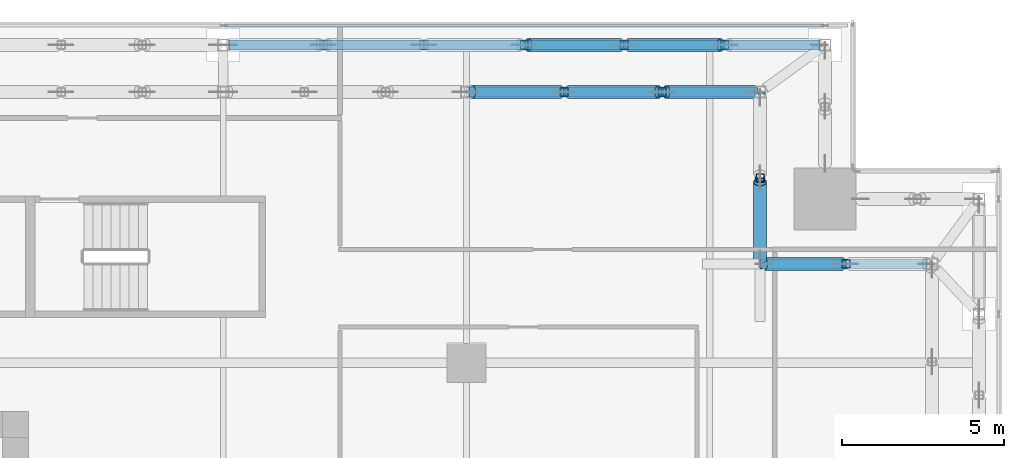
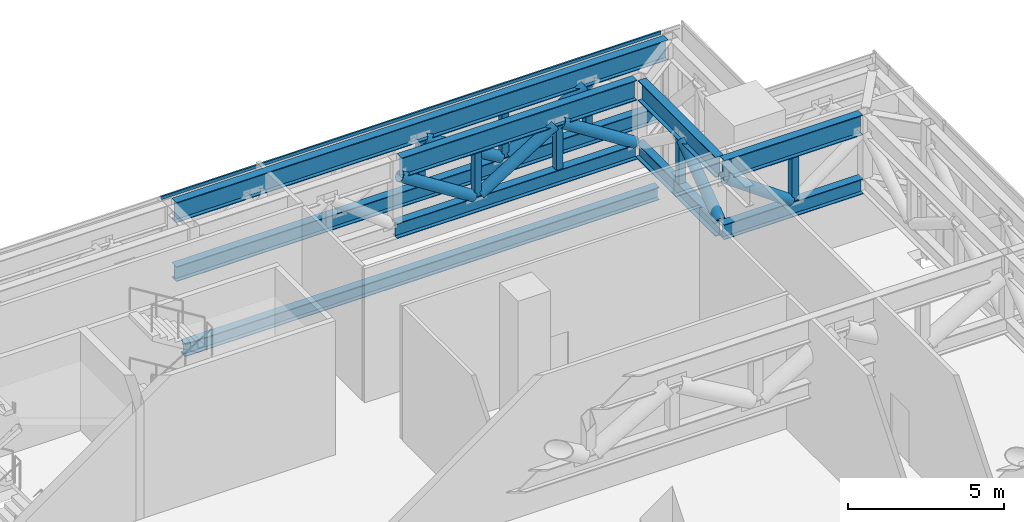
# One storey, part 25 of 36: 23 members, 1 beam, 1 element without a shape of its own.
"""IFC4 building model written with IfcOpenShell, lengths in metres."""

from ifc_helpers import new_model, si_unit, direction, frame, origin, origin_2d, place, context, subcontext, project, spatial, hollow_rectangle, hollow_circle, i_section, extrude, source, transform, mapped, material, material_profile, profile_set, type_object, element, aggregate, save


model = new_model("IFC4")

# Units and contexts
model_context = context("Model", 3, precision=1e-05, world=origin(), true_north=direction((0.0, 1.0)))
body_context = subcontext(model_context, "Body", "Model", "MODEL_VIEW")
ifc_project = project(units=[si_unit("LENGTHUNIT", "METRE"), si_unit("AREAUNIT", "SQUARE_METRE"), si_unit("VOLUMEUNIT", "CUBIC_METRE"), si_unit("PLANEANGLEUNIT", "RADIAN"), si_unit("MASSUNIT", "GRAM", prefix="KILO")], contexts=[model_context])

# Site, building, storey
site_placement = place(None, origin())
site = spatial("IfcSite", under=ifc_project, at=site_placement, CompositionType="ELEMENT")
building_placement = place(site_placement, origin())
building = spatial("IfcBuilding", under=site, at=building_placement, Name="Khomas Fold Tower", CompositionType="ELEMENT")
storey_placement = place(building_placement, frame((0.0, 0.0, 216.699951171875)))
storey = spatial("IfcBuildingStorey", under=building, at=storey_placement, Name="L48", CompositionType="ELEMENT", Elevation=216.699951171875)

# Beam
ifc_material_1 = material(Name="Steel S355", Category="steel")
ifc_material_profile_1 = material_profile(ifc_material_1, i_section(OverallWidth=0.300048828125, OverallDepth=0.5, WebThickness=0.014404296875, FlangeThickness=0.028076171875, at=origin_2d()), Name="HE 500 B")
ifc_profile_set_1 = profile_set([ifc_material_profile_1], Name="Steel S355")
beam_type = type_object("IfcBeamType", Name="HE 500 B spandrel SB3", PredefinedType="SPANDREL", material=ifc_profile_set_1)
shared_shape_1 = source(origin(), body_context, "Body", "SweptSolid", [
    extrude(i_section(OverallWidth=0.300048828125, OverallDepth=0.5, WebThickness=0.014404296875, FlangeThickness=0.028076171875, at=origin_2d()), origin(), (0.0, 0.0, 1.0), 17.550048828125),
])
beam_placement = place(storey_placement, frame((27.5, 50.300048828125, -0.64990234375), z_axis=(1.0, 0.0, 0.0), x_axis=(0.0, 1.0, 0.0)))
element("IfcBeam", 1, at=beam_placement, inside=storey, type_object=beam_type, Name="SB3", PredefinedType="SPANDREL", context=body_context, shape_type="MappedRepresentation", body=[
    mapped(shared_shape_1, transform((0.0, 0.0, 0.0))),
])

# Members
ifc_material_2 = material(Name="Steel S355", Category="steel")
ifc_material_profile_2 = material_profile(ifc_material_2, hollow_rectangle(XDim=0.25, YDim=0.25, WallThickness=0.01611328125, at=origin_2d()), Name="SHS 250x250x16")
ifc_profile_set_2 = profile_set([ifc_material_profile_2], Name="Steel S355")
member_type_1 = type_object("IfcMemberType", Name="BELT TRUSS 3 MID POST SHS 250x250x16", PredefinedType="POST", material=ifc_profile_set_2)
shared_shape_2 = source(origin(), body_context, "Body", "SweptSolid", [
    extrude(hollow_rectangle(XDim=0.25, YDim=0.25, WallThickness=0.01611328125, at=origin_2d()), origin(), (0.0, 0.0, 1.0), 1.719970703125),
])
for number, where, z_axis, x_axis, name in (
    (2, (42.458251953125, 50.300048828125, 2.739990234375), (0.0, 0.0, 1.0), (1.0, 0.0, 0.0), "BT3-M"),
    (3, (39.36669921875, 50.300048828125, 2.739990234375), (0.0, 0.0, 1.0), (1.0, 0.0, 0.0), "BT3-M"),
    (4, (36.27490234375, 50.300048828125, 2.739990234375), (0.0, 0.0, 1.0), (1.0, 0.0, 0.0), "BT3-M"),
    (5, (40.533447265625, 48.85009765625, 2.739990234375), (0.0, 0.0, 1.0), (1.0, 0.0, 0.0), "BT3-M"),
    (6, (37.5166015625, 48.85009765625, 2.739990234375), (0.0, 0.0, 1.0), (1.0, 0.0, 0.0), "BT3-M"),
    (7, (46.199951171875, 43.550048828125, 2.739990234375), (0.0, 0.0, 1.0), (1.0, 0.0, 0.0), "BT3-M"),
    (8, (43.550048828125, 46.199951171875, 2.739990234375), (0.0, 0.0, 1.0), (1.0, 0.0, 0.0), "BT3-M"),
):
    element("IfcMember", number, at=place(storey_placement, frame(where, z_axis=z_axis, x_axis=x_axis)), inside=storey, type_object=member_type_1, Name=name, PredefinedType="POST", context=body_context, shape_type="MappedRepresentation", body=[
        mapped(shared_shape_2, transform((0.0, 0.0, 0.0))),
    ])
ifc_material_3 = material(Name="Steel S355", Category="steel")
ifc_material_profile_3 = material_profile(ifc_material_3, i_section(OverallWidth=0.300048828125, OverallDepth=0.7900390625, WebThickness=0.014892578125, FlangeThickness=0.028076171875, at=origin_2d()), Name="HE 800 A")
ifc_profile_set_3 = profile_set([ifc_material_profile_3], Name="Steel S355")
member_type_2 = type_object("IfcMemberType", Name="BELT TRUSS 3 TOP CHORD LONGER HE 800 A", PredefinedType="CHORD", material=ifc_profile_set_3)
shared_shape_3 = source(origin(), body_context, "Body", "SweptSolid", [
    extrude(i_section(OverallWidth=0.300048828125, OverallDepth=0.7900390625, WebThickness=0.014892578125, FlangeThickness=0.028076171875, at=origin_2d()), origin(), (0.0, 0.0, 1.0), 18.199951171875),
])
member_1_placement = place(storey_placement, frame((45.375, 50.300048828125, 4.85498046875), z_axis=(-1.0, 0.0, 0.0), x_axis=(0.0, -1.0, 0.0)))
element("IfcMember", 9, at=member_1_placement, inside=storey, type_object=member_type_2, Name="BT3-CTLL", PredefinedType="CHORD", context=body_context, shape_type="MappedRepresentation", body=[
    mapped(shared_shape_3, transform((0.0, 0.0, 0.0))),
])
ifc_material_4 = material(Name="Steel S355", Category="steel")
ifc_material_profile_4 = material_profile(ifc_material_4, i_section(OverallWidth=0.300048828125, OverallDepth=0.590087890625, WebThickness=0.012939453125, FlangeThickness=0.02490234375, at=origin_2d()), Name="HE 600 A")
ifc_profile_set_4 = profile_set([ifc_material_profile_4], Name="Steel S355")
member_type_3 = type_object("IfcMemberType", Name="BELT TRUSS 3 BOTTOM CHORD LONGER HE 600 A", PredefinedType="CHORD", material=ifc_profile_set_4)
shared_shape_4 = source(origin(), body_context, "Body", "SweptSolid", [
    extrude(i_section(OverallWidth=0.300048828125, OverallDepth=0.590087890625, WebThickness=0.012939453125, FlangeThickness=0.02490234375, at=origin_2d()), origin(), (0.0, 0.0, 1.0), 18.199951171875),
])
member_2_placement = place(storey_placement, frame((45.375, 50.300048828125, 2.445068359375), z_axis=(-1.0, 0.0, 0.0), x_axis=(0.0, -1.0, 0.0)))
element("IfcMember", 10, at=member_2_placement, inside=storey, type_object=member_type_3, Name="BT3-CBLL", PredefinedType="CHORD", context=body_context, shape_type="MappedRepresentation", body=[
    mapped(shared_shape_4, transform((0.0, 0.0, 0.0))),
])
ifc_material_5 = material(Name="Steel S355", Category="steel")
ifc_material_profile_5 = material_profile(ifc_material_5, hollow_circle(Radius=0.203125, WallThickness=0.012451171875, at=origin_2d()), Name="CHS 406.4x12.5")
ifc_profile_set_5 = profile_set([ifc_material_profile_5], Name="Steel S355")
member_type_4 = type_object("IfcMemberType", Name="BELT TRUSS 3 DIAGONAL CHS 406.4x12.5", PredefinedType="BRACE", material=ifc_profile_set_5)
shared_shape_5 = source(origin(), body_context, "Body", "SweptSolid", [
    extrude(hollow_circle(Radius=0.203125, WallThickness=0.012451171875, at=origin_2d()), origin(), (0.0, 0.0, 1.0), 3.32666015625),
])
member_3_placement = place(storey_placement, frame((42.333251953125, 50.300048828125, 4.465087890625), z_axis=(-0.854153204159, 0.0, -0.520021445543), x_axis=(0.0, -1.0, 0.0)))
element("IfcMember", 11, at=member_3_placement, inside=storey, type_object=member_type_4, Name="BT3-D", PredefinedType="BRACE", context=body_context, shape_type="MappedRepresentation", body=[
    mapped(shared_shape_5, transform((0.0, 0.0, 0.0))),
])
shared_shape_6 = source(origin(), body_context, "Body", "SweptSolid", [
    extrude(hollow_circle(Radius=0.203125, WallThickness=0.012451171875, at=origin_2d()), origin(), (0.0, 0.0, 1.0), 3.326904296875),
])
member_4_placement = place(storey_placement, frame((39.24169921875, 50.300048828125, 2.735107421875), z_axis=(-0.854173047819, 0.0, 0.519988850245), x_axis=(0.0, -1.0, 0.0)))
element("IfcMember", 12, at=member_4_placement, inside=storey, type_object=member_type_4, Name="BT3-D", PredefinedType="BRACE", context=body_context, shape_type="MappedRepresentation", body=[
    mapped(shared_shape_6, transform((0.0, 0.0, 0.0))),
])
ifc_material_6 = material(Name="Steel S355", Category="steel")
ifc_material_profile_6 = material_profile(ifc_material_6, i_section(OverallWidth=0.300048828125, OverallDepth=0.7900390625, WebThickness=0.014892578125, FlangeThickness=0.028076171875, at=origin_2d()), Name="HE 800 A")
ifc_profile_set_6 = profile_set([ifc_material_profile_6], Name="Steel S355")
member_type_5 = type_object("IfcMemberType", Name="BELT TRUSS 3 TOP CHORD LONG HE 800 A", PredefinedType="CHORD", material=ifc_profile_set_6)
shared_shape_7 = source(origin(), body_context, "Body", "SweptSolid", [
    extrude(i_section(OverallWidth=0.300048828125, OverallDepth=0.7900390625, WebThickness=0.014892578125, FlangeThickness=0.028076171875, at=origin_2d()), origin(), (0.0, 0.0, 1.0), 8.699951171875),
])
member_5_placement = place(storey_placement, frame((43.375, 48.85009765625, 4.85498046875), z_axis=(-1.0, 0.0, 0.0), x_axis=(0.0, -1.0, 0.0)))
element("IfcMember", 13, at=member_5_placement, inside=storey, type_object=member_type_5, Name="BT3-CTL", PredefinedType="CHORD", context=body_context, shape_type="MappedRepresentation", body=[
    mapped(shared_shape_7, transform((0.0, 0.0, 0.0))),
])
ifc_material_7 = material(Name="Steel S355", Category="steel")
ifc_material_profile_7 = material_profile(ifc_material_7, i_section(OverallWidth=0.300048828125, OverallDepth=0.590087890625, WebThickness=0.012939453125, FlangeThickness=0.02490234375, at=origin_2d()), Name="HE 600 A")
ifc_profile_set_7 = profile_set([ifc_material_profile_7], Name="Steel S355")
member_type_6 = type_object("IfcMemberType", Name="BELT TRUSS 3 BOTTOM CHORD LONG HE 600 A", PredefinedType="CHORD", material=ifc_profile_set_7)
shared_shape_8 = source(origin(), body_context, "Body", "SweptSolid", [
    extrude(i_section(OverallWidth=0.300048828125, OverallDepth=0.590087890625, WebThickness=0.012939453125, FlangeThickness=0.02490234375, at=origin_2d()), origin(), (0.0, 0.0, 1.0), 8.89990234375),
])
member_6_placement = place(storey_placement, frame((43.39990234375, 48.85009765625, 2.445068359375), z_axis=(-1.0, 0.0, 0.0), x_axis=(0.0, -1.0, 0.0)))
element("IfcMember", 14, at=member_6_placement, inside=storey, type_object=member_type_6, Name="BT3-CBL", PredefinedType="CHORD", context=body_context, shape_type="MappedRepresentation", body=[
    mapped(shared_shape_8, transform((0.0, 0.0, 0.0))),
])
shared_shape_9 = source(origin(), body_context, "Body", "SweptSolid", [
    extrude(hollow_circle(Radius=0.203125, WallThickness=0.012451171875, at=origin_2d()), origin(), (0.0, 0.0, 1.0), 3.220703125),
])
for number, where, z_axis, x_axis, name in (
    (15, (43.375, 48.85009765625, 2.735107421875), (-0.843483522339, 0.0, 0.537155049815), (0.0, -1.0, 0.0), "BT3-D"),
    (16, (37.3916015625, 48.85009765625, 2.735107421875), (-0.843483522339, 0.0, 0.537155049815), (0.0, -1.0, 0.0), "BT3-D"),
):
    element("IfcMember", number, at=place(storey_placement, frame(where, z_axis=z_axis, x_axis=x_axis)), inside=storey, type_object=member_type_4, Name=name, PredefinedType="BRACE", context=body_context, shape_type="MappedRepresentation", body=[
        mapped(shared_shape_9, transform((0.0, 0.0, 0.0))),
    ])
shared_shape_10 = source(origin(), body_context, "Body", "SweptSolid", [
    extrude(hollow_circle(Radius=0.203125, WallThickness=0.012451171875, at=origin_2d()), origin(), (0.0, 0.0, 1.0), 3.26318359375),
])
member_7_placement = place(storey_placement, frame((40.408447265625, 48.85009765625, 4.465087890625), z_axis=(-0.847901616183, 0.0, -0.53015360913), x_axis=(0.0, -1.0, 0.0)))
element("IfcMember", 17, at=member_7_placement, inside=storey, type_object=member_type_4, Name="BT3-D", PredefinedType="BRACE", context=body_context, shape_type="MappedRepresentation", body=[
    mapped(shared_shape_10, transform((0.0, 0.0, 0.0))),
])
ifc_material_8 = material(Name="Steel S355", Category="steel")
ifc_material_profile_8 = material_profile(ifc_material_8, i_section(OverallWidth=0.300048828125, OverallDepth=0.7900390625, WebThickness=0.014892578125, FlangeThickness=0.028076171875, at=origin_2d()), Name="HE 800 A")
ifc_profile_set_8 = profile_set([ifc_material_profile_8], Name="Steel S355")
member_type_7 = type_object("IfcMemberType", Name="BELT TRUSS 3 TOP CHORD HE 800 A", PredefinedType="CHORD", material=ifc_profile_set_8)
shared_shape_11 = source(origin(), body_context, "Body", "SweptSolid", [
    extrude(i_section(OverallWidth=0.300048828125, OverallDepth=0.7900390625, WebThickness=0.014892578125, FlangeThickness=0.028076171875, at=origin_2d()), origin(), (0.0, 0.0, 1.0), 5.125),
])
member_8_placement = place(storey_placement, frame((48.675048828125, 43.550048828125, 4.85498046875), z_axis=(-1.0, 0.0, 0.0), x_axis=(0.0, -1.0, 0.0)))
element("IfcMember", 18, at=member_8_placement, inside=storey, type_object=member_type_7, Name="BT3-CT", PredefinedType="CHORD", context=body_context, shape_type="MappedRepresentation", body=[
    mapped(shared_shape_11, transform((0.0, 0.0, 0.0))),
])
shared_shape_12 = source(origin(), body_context, "Body", "SweptSolid", [
    extrude(hollow_circle(Radius=0.203125, WallThickness=0.012451171875, at=origin_2d()), origin(), (0.0, 0.0, 1.0), 2.967041015625),
])
member_9_placement = place(storey_placement, frame((46.074951171875, 43.550048828125, 2.735107421875), z_axis=(-0.812441658895, 0.0, 0.583042494929), x_axis=(0.0, -1.0, 0.0)))
element("IfcMember", 19, at=member_9_placement, inside=storey, type_object=member_type_4, Name="BT3-D", PredefinedType="BRACE", context=body_context, shape_type="MappedRepresentation", body=[
    mapped(shared_shape_12, transform((0.0, 0.0, 0.0))),
])
shared_shape_13 = source(origin(), body_context, "Body", "SweptSolid", [
    extrude(i_section(OverallWidth=0.300048828125, OverallDepth=0.7900390625, WebThickness=0.014892578125, FlangeThickness=0.028076171875, at=origin_2d()), origin(), (0.0, 0.0, 1.0), 4.97509765625),
])
member_10_placement = place(storey_placement, frame((43.550048828125, 48.675048828125, 4.85498046875), z_axis=(0.0, -1.0, 0.0), x_axis=(1.0, 0.0, 0.0)))
element("IfcMember", 20, at=member_10_placement, inside=storey, type_object=member_type_7, Name="BT3-CT", PredefinedType="CHORD", context=body_context, shape_type="MappedRepresentation", body=[
    mapped(shared_shape_13, transform((0.0, 0.0, 0.0))),
])
shared_shape_14 = source(origin(), body_context, "Body", "SweptSolid", [
    extrude(hollow_circle(Radius=0.203125, WallThickness=0.012451171875, at=origin_2d()), origin(), (0.0, 0.0, 1.0), 2.938232421875),
])
member_11_placement = place(storey_placement, frame((43.550048828125, 46.074951171875, 4.465087890625), z_axis=(0.0, -0.808297504899, -0.588774272174), x_axis=(1.0, 0.0, 0.0)))
element("IfcMember", 21, at=member_11_placement, inside=storey, type_object=member_type_4, Name="BT3-D", PredefinedType="BRACE", context=body_context, shape_type="MappedRepresentation", body=[
    mapped(shared_shape_14, transform((0.0, 0.0, 0.0))),
])
ifc_material_9 = material(Name="Steel S355", Category="steel")
ifc_material_profile_9 = material_profile(ifc_material_9, i_section(OverallWidth=0.300048828125, OverallDepth=0.590087890625, WebThickness=0.012939453125, FlangeThickness=0.02490234375, at=origin_2d()), Name="HE 600 A")
ifc_profile_set_9 = profile_set([ifc_material_profile_9], Name="Steel S355")
member_type_8 = type_object("IfcMemberType", Name="BELT TRUSS 3 BOTTOM CHORD HE 600 A", PredefinedType="CHORD", material=ifc_profile_set_9)
shared_shape_15 = source(origin(), body_context, "Body", "SweptSolid", [
    extrude(i_section(OverallWidth=0.300048828125, OverallDepth=0.590087890625, WebThickness=0.012939453125, FlangeThickness=0.02490234375, at=origin_2d()), origin(), (0.0, 0.0, 1.0), 5.14990234375),
])
member_12_placement = place(storey_placement, frame((48.699951171875, 43.550048828125, 2.445068359375), z_axis=(-1.0, 0.0, 0.0), x_axis=(0.0, -1.0, 0.0)))
element("IfcMember", 22, at=member_12_placement, inside=storey, type_object=member_type_8, Name="BT3-CB", PredefinedType="CHORD", context=body_context, shape_type="MappedRepresentation", body=[
    mapped(shared_shape_15, transform((0.0, 0.0, 0.0))),
])
shared_shape_16 = source(origin(), body_context, "Body", "SweptSolid", [
    extrude(i_section(OverallWidth=0.300048828125, OverallDepth=0.590087890625, WebThickness=0.012939453125, FlangeThickness=0.02490234375, at=origin_2d()), origin(), (0.0, 0.0, 1.0), 5.150146484375),
])
member_13_placement = place(storey_placement, frame((43.550048828125, 48.85009765625, 2.445068359375), z_axis=(0.0, -1.0, 0.0), x_axis=(1.0, 0.0, 0.0)))
element("IfcMember", 23, at=member_13_placement, inside=storey, type_object=member_type_8, Name="BT3-CB", PredefinedType="CHORD", context=body_context, shape_type="MappedRepresentation", body=[
    mapped(shared_shape_16, transform((0.0, 0.0, 0.0))),
])

# Curtain wall, member
ifc_material_10 = material(Name="Aluminium framed double glazing", Category="aluminium")
curtain_wall_type = type_object("IfcCurtainWallType", Name="SK-Plant louvre wall CW4", PredefinedType="NOTDEFINED", material=ifc_material_10)
curtain_wall_placement = place(storey_placement, origin())
curtain_wall = element("IfcCurtainWall", 24, at=curtain_wall_placement, inside=storey, type_object=curtain_wall_type, Name="CW4 run L48 06-0", PredefinedType="NOTDEFINED")
ifc_material_11 = material(Name="Aluminium", Category="aluminium")
ifc_material_profile_10 = material_profile(ifc_material_11, hollow_rectangle(XDim=0.06005859375, YDim=0.1201171875, WallThickness=0.00390625, at=origin_2d()), Name="SK-Plant louvre wall transom CW4-T")
ifc_profile_set_10 = profile_set([ifc_material_profile_10], Name="Aluminium")
member_type_9 = type_object("IfcMemberType", Name="SK-Plant louvre wall transom CW4-T", PredefinedType="USERDEFINED", material=ifc_profile_set_10)
shared_shape_17 = source(origin(), body_context, "Body", "SweptSolid", [
    extrude(hollow_rectangle(XDim=0.06005859375, YDim=0.1201171875, WallThickness=0.00390625, at=origin_2d()), origin(), (0.0, 0.0, 1.0), 18.489990234375),
])
member_14_placement = place(storey_placement, frame((45.52001953125, 50.89990234375, 5.0400390625), z_axis=(-1.0, 0.0, 0.0), x_axis=(0.0, -1.0, 0.0)))
member_14 = element("IfcMember", 25, at=member_14_placement, type_object=member_type_9, Name="CW4 transom 2", ObjectType="TRANSOM", PredefinedType="USERDEFINED", context=body_context, shape_type="MappedRepresentation", body=[
    mapped(shared_shape_17, transform((0.0, 0.0, 0.0))),
])
aggregate(curtain_wall, [member_14])

save(model, "model.ifc")
